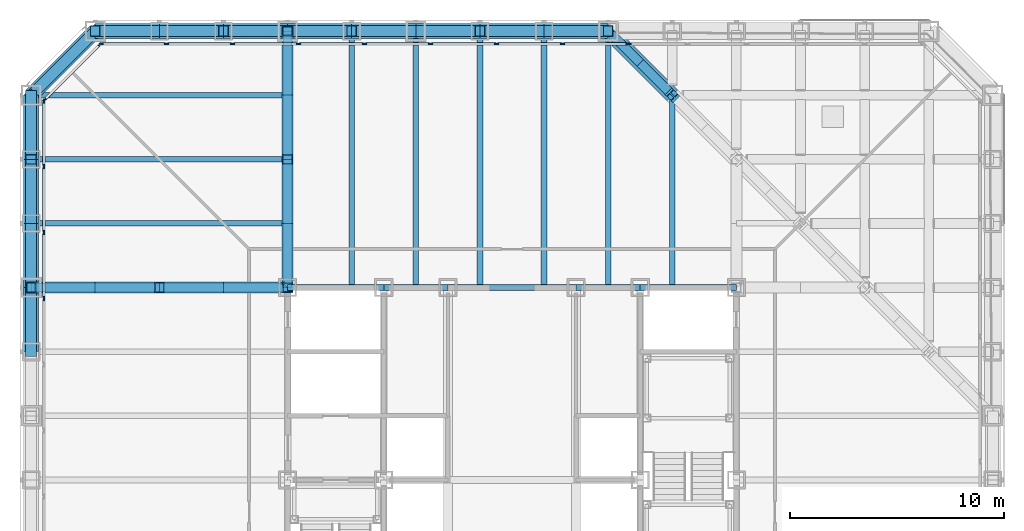
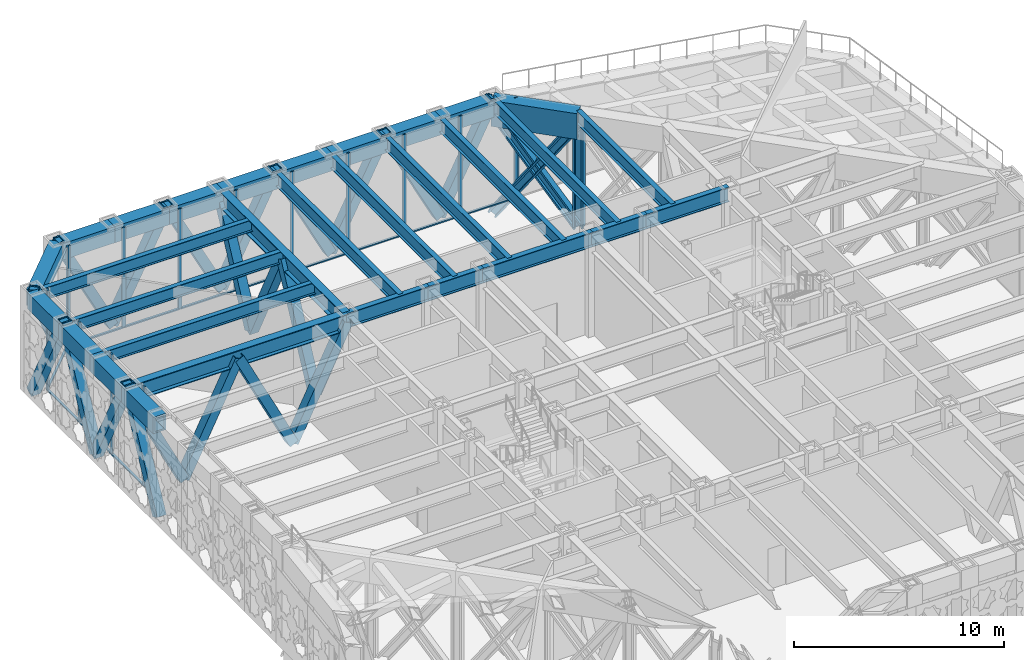
# One storey, part 9 of 31: 53 members, 29 beams, 4 elements without a shape of their own.
"""IFC4 building model written with IfcOpenShell, lengths in metres."""

from ifc_helpers import new_model, si_unit, direction, frame, origin, origin_2d, place, context, subcontext, project, spatial, rectangle, hollow_rectangle, i_section, extrude, material, layer, layer_set, material_profile, profile_set, type_object, element, aggregate, save


model = new_model("IFC4")

# Units and contexts
model_context = context("Model", 3, precision=1e-05, world=origin(), true_north=direction((0.0, 1.0)))
body_context = subcontext(model_context, "Body", "Model", "MODEL_VIEW")
ifc_project = project(units=[si_unit("LENGTHUNIT", "METRE"), si_unit("AREAUNIT", "SQUARE_METRE"), si_unit("VOLUMEUNIT", "CUBIC_METRE"), si_unit("PLANEANGLEUNIT", "RADIAN"), si_unit("MASSUNIT", "GRAM", prefix="KILO")], contexts=[model_context])

# Site, building, storey
site_placement = place(None, origin())
site = spatial("IfcSite", under=ifc_project, at=site_placement, CompositionType="ELEMENT")
building_placement = place(site_placement, origin())
building = spatial("IfcBuilding", under=site, at=building_placement, Name="Chuquiago Exchange Tower", CompositionType="ELEMENT")
storey_placement = place(building_placement, frame((0.0, 0.0, 96.300048828125)))
storey = spatial("IfcBuildingStorey", under=building, at=storey_placement, Name="L20", CompositionType="ELEMENT", Elevation=96.300048828125)

# Beams
ifc_material_1 = material(Name="Steel ASTM A992", Category="steel")
ifc_material_profile_1 = material_profile(ifc_material_1, i_section(OverallWidth=0.2919921875, OverallDepth=0.8583984375, WebThickness=0.01708984375, FlangeThickness=0.031005859375, at=origin_2d()), Name="W33X169")
ifc_profile_set_1 = profile_set([ifc_material_profile_1], Name="Steel ASTM A992")
beam_type_1 = type_object("IfcBeamType", Name="B3 W33X169", PredefinedType="BEAM", material=ifc_profile_set_1)
beam_1_placement = place(storey_placement, frame((12.0, 33.0, 5.41064453125), z_axis=(1.0, 0.0, 0.0), x_axis=(0.0, 1.0, 0.0)))
element("IfcBeam", 1, at=beam_1_placement, inside=storey, type_object=beam_type_1, Name="CB-L21-12_33-16.5_33", PredefinedType="BEAM", context=body_context, shape_type="SweptSolid", body=[
    extrude(i_section(OverallWidth=0.2919921875, OverallDepth=0.8583984375, WebThickness=0.01708984375, FlangeThickness=0.031005859375, at=origin_2d()), origin(), (0.0, 0.0, 1.0), 4.5),
])
beam_2_placement = place(storey_placement, frame((16.5, 33.0, 5.41064453125), z_axis=(1.0, 0.0, 0.0), x_axis=(0.0, 1.0, 0.0)))
element("IfcBeam", 2, at=beam_2_placement, inside=storey, type_object=beam_type_1, Name="CB-L21-16.5_33-19.5_33", PredefinedType="BEAM", context=body_context, shape_type="SweptSolid", body=[
    extrude(i_section(OverallWidth=0.2919921875, OverallDepth=0.8583984375, WebThickness=0.01708984375, FlangeThickness=0.031005859375, at=origin_2d()), origin(), (0.0, 0.0, 1.0), 3.0),
])
beam_3_placement = place(storey_placement, frame((19.5, 33.0, 5.41064453125), z_axis=(1.0, 0.0, 0.0), x_axis=(0.0, 1.0, 0.0)))
element("IfcBeam", 3, at=beam_3_placement, inside=storey, type_object=beam_type_1, Name="CB-L21-19.5_33-25.5_33", PredefinedType="BEAM", context=body_context, shape_type="SweptSolid", body=[
    extrude(i_section(OverallWidth=0.2919921875, OverallDepth=0.8583984375, WebThickness=0.01708984375, FlangeThickness=0.031005859375, at=origin_2d()), origin(), (0.0, 0.0, 1.0), 6.0),
])
beam_4_placement = place(storey_placement, frame((25.5, 33.0, 5.41064453125), z_axis=(1.0, 0.0, 0.0), x_axis=(0.0, 1.0, 0.0)))
element("IfcBeam", 4, at=beam_4_placement, inside=storey, type_object=beam_type_1, Name="CB-L21-25.5_33-28.5_33", PredefinedType="BEAM", context=body_context, shape_type="SweptSolid", body=[
    extrude(i_section(OverallWidth=0.2919921875, OverallDepth=0.8583984375, WebThickness=0.01708984375, FlangeThickness=0.031005859375, at=origin_2d()), origin(), (0.0, 0.0, 1.0), 3.0),
])
beam_5_placement = place(storey_placement, frame((28.5, 33.0, 5.41064453125), z_axis=(1.0, 0.0, 0.0), x_axis=(0.0, 1.0, 0.0)))
element("IfcBeam", 5, at=beam_5_placement, inside=storey, type_object=beam_type_1, Name="CB-L21-28.5_33-33_33", PredefinedType="BEAM", context=body_context, shape_type="SweptSolid", body=[
    extrude(i_section(OverallWidth=0.2919921875, OverallDepth=0.8583984375, WebThickness=0.01708984375, FlangeThickness=0.031005859375, at=origin_2d()), origin(), (0.0, 0.0, 1.0), 4.5),
])
ifc_material_2 = material(Name="Steel ASTM A992", Category="steel")
ifc_material_profile_2 = material_profile(ifc_material_2, i_section(OverallWidth=0.2666015625, OverallDepth=0.761962890625, WebThickness=0.014404296875, FlangeThickness=0.021484375, at=origin_2d()), Name="W30X116")
ifc_profile_set_2 = profile_set([ifc_material_profile_2], Name="Steel ASTM A992")
beam_type_2 = type_object("IfcBeamType", Name="B8 W30X116", PredefinedType="BEAM", material=ifc_profile_set_2)
for number, where, z_axis, x_axis, name in (
    (6, (15.0, 33.0, 5.458984375), (0.0, 1.0, 0.0), (-1.0, 0.0, 0.0), "FB-L21-infill-15_33-15_45-0"),
    (7, (18.0, 33.0, 5.458984375), (0.0, 1.0, 0.0), (-1.0, 0.0, 0.0), "FB-L21-infill-18_33-18_45-0"),
    (8, (21.0, 33.0, 5.458984375), (0.0, 1.0, 0.0), (-1.0, 0.0, 0.0), "FB-L21-infill-21_33-21_45-0"),
    (9, (24.0, 33.0, 5.458984375), (0.0, 1.0, 0.0), (-1.0, 0.0, 0.0), "FB-L21-infill-24_33-24_45-0"),
    (10, (27.0, 33.0, 5.458984375), (0.0, 1.0, 0.0), (-1.0, 0.0, 0.0), "FB-L21-infill-27_33-27_45-0"),
):
    element("IfcBeam", number, at=place(storey_placement, frame(where, z_axis=z_axis, x_axis=x_axis)), inside=storey, type_object=beam_type_2, Name=name, PredefinedType="BEAM", context=body_context, shape_type="SweptSolid", body=[
        extrude(i_section(OverallWidth=0.2666015625, OverallDepth=0.761962890625, WebThickness=0.014404296875, FlangeThickness=0.021484375, at=origin_2d()), origin(), (0.0, 0.0, 1.0), 12.0),
    ])
beam_6_placement = place(storey_placement, frame((30.0, 33.0, 5.458984375), z_axis=(0.0, 1.0, 0.0), x_axis=(-1.0, 0.0, 0.0)))
element("IfcBeam", 11, at=beam_6_placement, inside=storey, type_object=beam_type_2, Name="FB-L21-infill-30_33-30_42-0", PredefinedType="BEAM", context=body_context, shape_type="SweptSolid", body=[
    extrude(i_section(OverallWidth=0.2666015625, OverallDepth=0.761962890625, WebThickness=0.014404296875, FlangeThickness=0.021484375, at=origin_2d()), origin(), (0.0, 0.0, 1.0), 9.0),
])
ifc_material_3 = material(Name="Steel ASTM A992", Category="steel")
ifc_material_profile_3 = material_profile(ifc_material_3, i_section(OverallWidth=0.256591796875, OverallDepth=0.693359375, WebThickness=0.014404296875, FlangeThickness=0.023681640625, at=origin_2d()), Name="W27X114")
ifc_profile_set_3 = profile_set([ifc_material_profile_3], Name="Steel ASTM A992")
beam_type_3 = type_object("IfcBeamType", Name="B9 W27X114", PredefinedType="BEAM", material=ifc_profile_set_3)
for number, where, z_axis, x_axis, name in (
    (12, (12.0, 36.0, 5.4931640625), (-1.0, 0.0, 0.0), (0.0, -1.0, 0.0), "FB-L21-corner-12_36--0_36-0"),
    (13, (12.0, 39.0, 5.4931640625), (-1.0, 0.0, 0.0), (0.0, -1.0, 0.0), "FB-L21-corner-12_39--0_39-0"),
    (14, (12.0, 42.0, 5.4931640625), (-1.0, 0.0, 0.0), (0.0, -1.0, 0.0), "FB-L21-corner-12_42--0_42-0"),
):
    element("IfcBeam", number, at=place(storey_placement, frame(where, z_axis=z_axis, x_axis=x_axis)), inside=storey, type_object=beam_type_3, Name=name, PredefinedType="BEAM", context=body_context, shape_type="SweptSolid", body=[
        extrude(i_section(OverallWidth=0.256591796875, OverallDepth=0.693359375, WebThickness=0.014404296875, FlangeThickness=0.023681640625, at=origin_2d()), origin(), (0.0, 0.0, 1.0), 12.0),
    ])

# Members
ifc_material_4 = material(Name="Steel ASTM A500 Grade C", Category="steel")
ifc_material_profile_4 = material_profile(ifc_material_4, hollow_rectangle(XDim=0.508056640625, YDim=0.508056640625, WallThickness=0.017822265625, at=origin_2d()), Name="HSS20X20X3/4")
ifc_profile_set_4 = profile_set([ifc_material_profile_4], Name="Steel ASTM A500 Grade C")
member_type_1 = type_object("IfcMemberType", Name="BT2 HSS20X20X3/4", PredefinedType="BRACE", material=ifc_profile_set_4)
for number, where, z_axis, x_axis, name in (
    (15, (24.0, 45.0, 0.0), (0.456944654405, 0.0, 0.889495128042), (0.0, 1.0, 0.0), "Belt truss L20 diagonal"),
    (16, (24.0, 45.0, 0.0), (-0.456944654405, 0.0, 0.889495128042), (0.0, -1.0, 0.0), "Belt truss L20 diagonal"),
    (17, (18.0, 45.0, 0.0), (0.456944654405, 0.0, 0.889495128042), (0.0, 1.0, 0.0), "Belt truss L20 diagonal"),
    (18, (18.0, 45.0, 0.0), (-0.456944654405, 0.0, 0.889495128042), (0.0, -1.0, 0.0), "Belt truss L20 diagonal"),
    (19, (12.0, 45.0, 0.0), (0.456944654405, 0.0, 0.889495128042), (0.0, 1.0, 0.0), "Belt truss L20 diagonal"),
    (20, (12.0, 45.0, 0.0), (-0.456944654405, 0.0, 0.889495128042), (0.0, -1.0, 0.0), "Belt truss L20 diagonal"),
    (21, (6.0, 45.0, 0.0), (0.456944654405, 0.0, 0.889495128042), (0.0, 1.0, 0.0), "Belt truss L20 diagonal"),
    (22, (6.0, 45.0, 0.0), (-0.456944654405, 0.0, 0.889495128042), (0.0, -1.0, 0.0), "Belt truss L20 diagonal"),
):
    element("IfcMember", number, at=place(storey_placement, frame(where, z_axis=z_axis, x_axis=x_axis)), inside=storey, type_object=member_type_1, Name=name, PredefinedType="BRACE", context=body_context, shape_type="SweptSolid", body=[
        extrude(hollow_rectangle(XDim=0.508056640625, YDim=0.508056640625, WallThickness=0.017822265625, at=origin_2d()), origin(), (0.0, 0.0, 1.0), 6.5654296875),
    ])
member_1_placement = place(storey_placement, frame((3.0, 45.0, 0.0), z_axis=(-0.415610642288, -0.415610642288, 0.809033737266), x_axis=(0.707106781187, -0.707106781187, 0.0)))
element("IfcMember", 23, at=member_1_placement, inside=storey, type_object=member_type_1, Name="Belt truss L20 diagonal", PredefinedType="BRACE", context=body_context, shape_type="SweptSolid", body=[
    extrude(hollow_rectangle(XDim=0.508056640625, YDim=0.508056640625, WallThickness=0.017822265625, at=origin_2d()), origin(), (0.0, 0.0, 1.0), 7.21826171875),
])
for number, where, z_axis, x_axis, name in (
    (24, (0.0, 42.0, 0.0), (0.0, -0.456944654405, 0.889495128042), (1.0, 0.0, 0.0), "Belt truss L20 diagonal"),
    (25, (0.0, 36.0, 0.0), (0.0, 0.456944654405, 0.889495128042), (-1.0, 0.0, 0.0), "Belt truss L20 diagonal"),
    (26, (0.0, 36.0, 0.0), (0.0, -0.456944654405, 0.889495128042), (1.0, 0.0, 0.0), "Belt truss L20 diagonal"),
    (27, (0.0, 30.0, 0.0), (0.0, 0.456944654405, 0.889495128042), (-1.0, 0.0, 0.0), "Belt truss L20 diagonal"),
):
    element("IfcMember", number, at=place(storey_placement, frame(where, z_axis=z_axis, x_axis=x_axis)), inside=storey, type_object=member_type_1, Name=name, PredefinedType="BRACE", context=body_context, shape_type="SweptSolid", body=[
        extrude(hollow_rectangle(XDim=0.508056640625, YDim=0.508056640625, WallThickness=0.017822265625, at=origin_2d()), origin(), (0.0, 0.0, 1.0), 6.5654296875),
    ])

# Curtain wall, member
ifc_material_5 = material(Name="Aluminium curtain wall system", Category="aluminium")
ifc_layer = layer(ifc_material_5, 0.199951171875)
ifc_layer_set = layer_set([ifc_layer], Name="CW6 plant floor louvre wall")
curtain_wall_type = type_object("IfcCurtainWallType", Name="CW6 plant floor louvre wall", PredefinedType="NOTDEFINED", material=ifc_layer_set)
curtain_wall_1_placement = place(storey_placement, origin())
curtain_wall_1 = element("IfcCurtainWall", 28, at=curtain_wall_1_placement, inside=storey, type_object=curtain_wall_type, Name="CW6 curtain wall L20", PredefinedType="NOTDEFINED")
ifc_material_6 = material(Name="Aluminium mullion, pale anodised", Category="aluminium")
ifc_material_profile_5 = material_profile(ifc_material_6, rectangle(XDim=0.074951171875, YDim=0.199951171875, at=origin_2d()), Name="AL 75x200")
ifc_profile_set_5 = profile_set([ifc_material_profile_5], Name="Aluminium mullion, pale anodised")
member_type_2 = type_object("IfcMemberType", Name="CW6-M mullion 75x200", PredefinedType="MULLION", material=ifc_profile_set_5)
member_2_placement = place(storey_placement, frame((27.9912109375, 44.39990234375, 0.0), z_axis=(0.0, 0.0, 1.0), x_axis=(0.0, -1.0, 0.0)))
member_2 = element("IfcMember", 29, at=member_2_placement, type_object=member_type_2, Name="CW6 mullion 6", PredefinedType="MULLION", context=body_context, shape_type="SweptSolid", body=[
    extrude(rectangle(XDim=0.074951171875, YDim=0.199951171875, at=origin_2d()), origin(), (0.0, 0.0, 1.0), 3.66845703125),
])
aggregate(curtain_wall_1, [member_2])

# Curtain wall, members
curtain_wall_2_placement = place(storey_placement, origin())
curtain_wall_2 = element("IfcCurtainWall", 30, at=curtain_wall_2_placement, inside=storey, type_object=curtain_wall_type, Name="CW6 curtain wall L20", PredefinedType="NOTDEFINED")
member_3_placement = place(storey_placement, frame((27.916015625, 44.39990234375, 0.0), z_axis=(0.0, 0.0, 1.0), x_axis=(0.0, -1.0, 0.0)))
member_3 = element("IfcMember", 31, at=member_3_placement, type_object=member_type_2, Name="CW6 mullion 1", PredefinedType="MULLION", context=body_context, shape_type="SweptSolid", body=[
    extrude(rectangle(XDim=0.074951171875, YDim=0.199951171875, at=origin_2d()), origin(), (0.0, 0.0, 1.0), 5.83984375),
])
member_4_placement = place(storey_placement, frame((24.865478515625, 44.39990234375, 0.0), z_axis=(0.0, 0.0, 1.0), x_axis=(0.0, -1.0, 0.0)))
member_4 = element("IfcMember", 32, at=member_4_placement, type_object=member_type_2, Name="CW6 mullion 2", PredefinedType="MULLION", context=body_context, shape_type="SweptSolid", body=[
    extrude(rectangle(XDim=0.074951171875, YDim=0.199951171875, at=origin_2d()), origin(), (0.0, 0.0, 1.0), 5.83984375),
])
member_5_placement = place(storey_placement, frame((21.77734375, 44.39990234375, 0.0), z_axis=(0.0, 0.0, 1.0), x_axis=(0.0, -1.0, 0.0)))
member_5 = element("IfcMember", 33, at=member_5_placement, type_object=member_type_2, Name="CW6 mullion 3", PredefinedType="MULLION", context=body_context, shape_type="SweptSolid", body=[
    extrude(rectangle(XDim=0.074951171875, YDim=0.199951171875, at=origin_2d()), origin(), (0.0, 0.0, 1.0), 5.83984375),
])
member_6_placement = place(storey_placement, frame((18.689208984375, 44.39990234375, 0.0), z_axis=(0.0, 0.0, 1.0), x_axis=(0.0, -1.0, 0.0)))
member_6 = element("IfcMember", 34, at=member_6_placement, type_object=member_type_2, Name="CW6 mullion 4", PredefinedType="MULLION", context=body_context, shape_type="SweptSolid", body=[
    extrude(rectangle(XDim=0.074951171875, YDim=0.199951171875, at=origin_2d()), origin(), (0.0, 0.0, 1.0), 5.83984375),
])
member_7_placement = place(storey_placement, frame((15.60107421875, 44.39990234375, 0.0), z_axis=(0.0, 0.0, 1.0), x_axis=(0.0, -1.0, 0.0)))
member_7 = element("IfcMember", 35, at=member_7_placement, type_object=member_type_2, Name="CW6 mullion 5", PredefinedType="MULLION", context=body_context, shape_type="SweptSolid", body=[
    extrude(rectangle(XDim=0.074951171875, YDim=0.199951171875, at=origin_2d()), origin(), (0.0, 0.0, 1.0), 5.83984375),
])
member_8_placement = place(storey_placement, frame((12.512939453125, 44.39990234375, 0.0), z_axis=(0.0, 0.0, 1.0), x_axis=(0.0, -1.0, 0.0)))
member_8 = element("IfcMember", 36, at=member_8_placement, type_object=member_type_2, Name="CW6 mullion 6", PredefinedType="MULLION", context=body_context, shape_type="SweptSolid", body=[
    extrude(rectangle(XDim=0.074951171875, YDim=0.199951171875, at=origin_2d()), origin(), (0.0, 0.0, 1.0), 5.83984375),
])
member_9_placement = place(storey_placement, frame((9.4248046875, 44.39990234375, 0.0), z_axis=(0.0, 0.0, 1.0), x_axis=(0.0, -1.0, 0.0)))
member_9 = element("IfcMember", 37, at=member_9_placement, type_object=member_type_2, Name="CW6 mullion 7", PredefinedType="MULLION", context=body_context, shape_type="SweptSolid", body=[
    extrude(rectangle(XDim=0.074951171875, YDim=0.199951171875, at=origin_2d()), origin(), (0.0, 0.0, 1.0), 5.83984375),
])
member_10_placement = place(storey_placement, frame((6.336669921875, 44.39990234375, 0.0), z_axis=(0.0, 0.0, 1.0), x_axis=(0.0, -1.0, 0.0)))
member_10 = element("IfcMember", 38, at=member_10_placement, type_object=member_type_2, Name="CW6 mullion 8", PredefinedType="MULLION", context=body_context, shape_type="SweptSolid", body=[
    extrude(rectangle(XDim=0.074951171875, YDim=0.199951171875, at=origin_2d()), origin(), (0.0, 0.0, 1.0), 5.83984375),
])
member_11_placement = place(storey_placement, frame((3.285888671875, 44.39990234375, 0.0), z_axis=(0.0, 0.0, 1.0), x_axis=(0.0, -1.0, 0.0)))
member_11 = element("IfcMember", 39, at=member_11_placement, type_object=member_type_2, Name="CW6 mullion 9", PredefinedType="MULLION", context=body_context, shape_type="SweptSolid", body=[
    extrude(rectangle(XDim=0.074951171875, YDim=0.199951171875, at=origin_2d()), origin(), (0.0, 0.0, 1.0), 5.83984375),
])

curtain_wall_3_placement = place(storey_placement, origin())
curtain_wall_3 = element("IfcCurtainWall", 40, at=curtain_wall_3_placement, inside=storey, type_object=curtain_wall_type, Name="CW6 curtain wall L20", PredefinedType="NOTDEFINED")
member_12_placement = place(storey_placement, frame((3.221923828125, 44.37353515625, 0.0), z_axis=(0.0, 0.0, 1.0), x_axis=(0.707106781187, -0.707106781187, 0.0)))
member_12 = element("IfcMember", 41, at=member_12_placement, type_object=member_type_2, Name="CW6 mullion 1", PredefinedType="MULLION", context=body_context, shape_type="SweptSolid", body=[
    extrude(rectangle(XDim=0.074951171875, YDim=0.199951171875, at=origin_2d()), origin(), (0.0, 0.0, 1.0), 5.83984375),
])
member_13_placement = place(storey_placement, frame((0.62646484375, 41.778076171875, 0.0), z_axis=(0.0, 0.0, 1.0), x_axis=(0.707106781187, -0.707106781187, 0.0)))
member_13 = element("IfcMember", 42, at=member_13_placement, type_object=member_type_2, Name="CW6 mullion 2", PredefinedType="MULLION", context=body_context, shape_type="SweptSolid", body=[
    extrude(rectangle(XDim=0.074951171875, YDim=0.199951171875, at=origin_2d()), origin(), (0.0, 0.0, 1.0), 5.83984375),
])

curtain_wall_4_placement = place(storey_placement, origin())
curtain_wall_4 = element("IfcCurtainWall", 43, at=curtain_wall_4_placement, inside=storey, type_object=curtain_wall_type, Name="CW6 curtain wall L20", PredefinedType="NOTDEFINED")
member_14_placement = place(storey_placement, frame((0.60009765625, 41.714111328125, 0.0), z_axis=(0.0, 0.0, 1.0), x_axis=(1.0, 0.0, 0.0)))
member_14 = element("IfcMember", 44, at=member_14_placement, type_object=member_type_2, Name="CW6 mullion 1", PredefinedType="MULLION", context=body_context, shape_type="SweptSolid", body=[
    extrude(rectangle(XDim=0.074951171875, YDim=0.199951171875, at=origin_2d()), origin(), (0.0, 0.0, 1.0), 5.83984375),
])
member_15_placement = place(storey_placement, frame((0.60009765625, 38.663330078125, 0.0), z_axis=(0.0, 0.0, 1.0), x_axis=(1.0, 0.0, 0.0)))
member_15 = element("IfcMember", 45, at=member_15_placement, type_object=member_type_2, Name="CW6 mullion 2", PredefinedType="MULLION", context=body_context, shape_type="SweptSolid", body=[
    extrude(rectangle(XDim=0.074951171875, YDim=0.199951171875, at=origin_2d()), origin(), (0.0, 0.0, 1.0), 5.83984375),
])
member_16_placement = place(storey_placement, frame((0.60009765625, 35.5751953125, 0.0), z_axis=(0.0, 0.0, 1.0), x_axis=(1.0, 0.0, 0.0)))
member_16 = element("IfcMember", 46, at=member_16_placement, type_object=member_type_2, Name="CW6 mullion 3", PredefinedType="MULLION", context=body_context, shape_type="SweptSolid", body=[
    extrude(rectangle(XDim=0.074951171875, YDim=0.199951171875, at=origin_2d()), origin(), (0.0, 0.0, 1.0), 5.83984375),
])
member_17_placement = place(storey_placement, frame((0.60009765625, 32.487060546875, 0.0), z_axis=(0.0, 0.0, 1.0), x_axis=(1.0, 0.0, 0.0)))
member_17 = element("IfcMember", 47, at=member_17_placement, type_object=member_type_2, Name="CW6 mullion 4", PredefinedType="MULLION", context=body_context, shape_type="SweptSolid", body=[
    extrude(rectangle(XDim=0.074951171875, YDim=0.199951171875, at=origin_2d()), origin(), (0.0, 0.0, 1.0), 5.83984375),
])

# Member
ifc_material_7 = material(Name="Aluminium transom, pale anodised", Category="aluminium")
ifc_material_profile_6 = material_profile(ifc_material_7, rectangle(XDim=0.1201171875, YDim=0.074951171875, at=origin_2d()), Name="AL 120x75")
ifc_profile_set_6 = profile_set([ifc_material_profile_6], Name="Aluminium transom, pale anodised")
member_type_3 = type_object("IfcMemberType", Name="CW6-T transom 75x120", PredefinedType="MULLION", material=ifc_profile_set_6)
member_18_placement = place(storey_placement, frame((27.878662109375, 44.39990234375, 0.037353515625), z_axis=(-1.0, 0.0, 0.0), x_axis=(0.0, -1.0, 0.0)))
member_18 = element("IfcMember", 48, at=member_18_placement, type_object=member_type_3, Name="CW6 transom 1.1", PredefinedType="MULLION", context=body_context, shape_type="SweptSolid", body=[
    extrude(rectangle(XDim=0.1201171875, YDim=0.074951171875, at=origin_2d()), origin(), (0.0, 0.0, 1.0), 2.9755859375),
])

member_19_placement = place(storey_placement, frame((24.827880859375, 44.39990234375, 0.037353515625), z_axis=(-1.0, 0.0, 0.0), x_axis=(0.0, -1.0, 0.0)))
member_19 = element("IfcMember", 49, at=member_19_placement, type_object=member_type_3, Name="CW6 transom 2.1", PredefinedType="MULLION", context=body_context, shape_type="SweptSolid", body=[
    extrude(rectangle(XDim=0.1201171875, YDim=0.074951171875, at=origin_2d()), origin(), (0.0, 0.0, 1.0), 3.012939453125),
])

member_20_placement = place(storey_placement, frame((21.73974609375, 44.39990234375, 0.037353515625), z_axis=(-1.0, 0.0, 0.0), x_axis=(0.0, -1.0, 0.0)))
member_20 = element("IfcMember", 50, at=member_20_placement, type_object=member_type_3, Name="CW6 transom 3.1", PredefinedType="MULLION", context=body_context, shape_type="SweptSolid", body=[
    extrude(rectangle(XDim=0.1201171875, YDim=0.074951171875, at=origin_2d()), origin(), (0.0, 0.0, 1.0), 3.012939453125),
])

member_21_placement = place(storey_placement, frame((18.651611328125, 44.39990234375, 0.037353515625), z_axis=(-1.0, 0.0, 0.0), x_axis=(0.0, -1.0, 0.0)))
member_21 = element("IfcMember", 51, at=member_21_placement, type_object=member_type_3, Name="CW6 transom 4.1", PredefinedType="MULLION", context=body_context, shape_type="SweptSolid", body=[
    extrude(rectangle(XDim=0.1201171875, YDim=0.074951171875, at=origin_2d()), origin(), (0.0, 0.0, 1.0), 3.012939453125),
])

member_22_placement = place(storey_placement, frame((15.5634765625, 44.39990234375, 0.037353515625), z_axis=(-1.0, 0.0, 0.0), x_axis=(0.0, -1.0, 0.0)))
member_22 = element("IfcMember", 52, at=member_22_placement, type_object=member_type_3, Name="CW6 transom 5.1", PredefinedType="MULLION", context=body_context, shape_type="SweptSolid", body=[
    extrude(rectangle(XDim=0.1201171875, YDim=0.074951171875, at=origin_2d()), origin(), (0.0, 0.0, 1.0), 3.01318359375),
])

member_23_placement = place(storey_placement, frame((12.475341796875, 44.39990234375, 0.037353515625), z_axis=(-1.0, 0.0, 0.0), x_axis=(0.0, -1.0, 0.0)))
member_23 = element("IfcMember", 53, at=member_23_placement, type_object=member_type_3, Name="CW6 transom 6.1", PredefinedType="MULLION", context=body_context, shape_type="SweptSolid", body=[
    extrude(rectangle(XDim=0.1201171875, YDim=0.074951171875, at=origin_2d()), origin(), (0.0, 0.0, 1.0), 3.01318359375),
])

member_24_placement = place(storey_placement, frame((9.38720703125, 44.39990234375, 0.037353515625), z_axis=(-1.0, 0.0, 0.0), x_axis=(0.0, -1.0, 0.0)))
member_24 = element("IfcMember", 54, at=member_24_placement, type_object=member_type_3, Name="CW6 transom 7.1", PredefinedType="MULLION", context=body_context, shape_type="SweptSolid", body=[
    extrude(rectangle(XDim=0.1201171875, YDim=0.074951171875, at=origin_2d()), origin(), (0.0, 0.0, 1.0), 3.01318359375),
])

member_25_placement = place(storey_placement, frame((6.299072265625, 44.39990234375, 0.037353515625), z_axis=(-1.0, 0.0, 0.0), x_axis=(0.0, -1.0, 0.0)))
member_25 = element("IfcMember", 55, at=member_25_placement, type_object=member_type_3, Name="CW6 transom 8.1", PredefinedType="MULLION", context=body_context, shape_type="SweptSolid", body=[
    extrude(rectangle(XDim=0.1201171875, YDim=0.074951171875, at=origin_2d()), origin(), (0.0, 0.0, 1.0), 2.9755859375),
])

aggregate(curtain_wall_2, [member_3, member_4, member_5, member_6, member_7, member_8, member_9, member_10, member_11, member_18, member_19, member_20, member_21, member_22, member_23, member_24, member_25])

member_26_placement = place(storey_placement, frame((3.195556640625, 44.346923828125, 0.037353515625), z_axis=(-0.707106781187, -0.707106781187, 0.0), x_axis=(0.707106781187, -0.707106781187, 0.0)))
member_26 = element("IfcMember", 56, at=member_26_placement, type_object=member_type_3, Name="CW6 transom 1.1", PredefinedType="MULLION", context=body_context, shape_type="SweptSolid", body=[
    extrude(rectangle(XDim=0.1201171875, YDim=0.074951171875, at=origin_2d()), origin(), (0.0, 0.0, 1.0), 3.595703125),
])

aggregate(curtain_wall_3, [member_12, member_13, member_26])

member_27_placement = place(storey_placement, frame((0.60009765625, 41.676513671875, 0.037353515625), z_axis=(0.0, -1.0, 0.0), x_axis=(1.0, 0.0, 0.0)))
member_27 = element("IfcMember", 57, at=member_27_placement, type_object=member_type_3, Name="CW6 transom 1.1", PredefinedType="MULLION", context=body_context, shape_type="SweptSolid", body=[
    extrude(rectangle(XDim=0.1201171875, YDim=0.074951171875, at=origin_2d()), origin(), (0.0, 0.0, 1.0), 2.9755859375),
])

member_28_placement = place(storey_placement, frame((0.60009765625, 38.6259765625, 0.037353515625), z_axis=(0.0, -1.0, 0.0), x_axis=(1.0, 0.0, 0.0)))
member_28 = element("IfcMember", 58, at=member_28_placement, type_object=member_type_3, Name="CW6 transom 2.1", PredefinedType="MULLION", context=body_context, shape_type="SweptSolid", body=[
    extrude(rectangle(XDim=0.1201171875, YDim=0.074951171875, at=origin_2d()), origin(), (0.0, 0.0, 1.0), 3.01318359375),
])

member_29_placement = place(storey_placement, frame((0.60009765625, 35.537841796875, 0.037353515625), z_axis=(0.0, -1.0, 0.0), x_axis=(1.0, 0.0, 0.0)))
member_29 = element("IfcMember", 59, at=member_29_placement, type_object=member_type_3, Name="CW6 transom 3.1", PredefinedType="MULLION", context=body_context, shape_type="SweptSolid", body=[
    extrude(rectangle(XDim=0.1201171875, YDim=0.074951171875, at=origin_2d()), origin(), (0.0, 0.0, 1.0), 3.01318359375),
])

aggregate(curtain_wall_4, [member_14, member_15, member_16, member_17, member_27, member_28, member_29])

# Beams
ifc_material_8 = material(Name="Steel ASTM A992", Category="steel")
ifc_material_profile_7 = material_profile(ifc_material_8, i_section(OverallWidth=0.424072265625, OverallDepth=0.947509765625, WebThickness=0.02392578125, FlangeThickness=0.042724609375, at=origin_2d()), Name="W36X302")
ifc_profile_set_7 = profile_set([ifc_material_profile_7], Name="Steel ASTM A992")
beam_type_4 = type_object("IfcBeamType", Name="G4 W36X302", PredefinedType="BEAM", material=ifc_profile_set_7)
for number, where, z_axis, x_axis, name in (
    (60, (12.0, 33.0, 5.3662109375), (0.0, 1.0, 0.0), (-1.0, 0.0, 0.0), "FB-L21-girder-12_33-12_45-0"),
    (61, (12.0, 33.0, 5.3662109375), (-1.0, 0.0, 0.0), (0.0, -1.0, 0.0), "FB-L21-girder-12_33--0_33-0"),
):
    element("IfcBeam", number, at=place(storey_placement, frame(where, z_axis=z_axis, x_axis=x_axis)), inside=storey, type_object=beam_type_4, Name=name, PredefinedType="BEAM", context=body_context, shape_type="SweptSolid", body=[
        extrude(i_section(OverallWidth=0.424072265625, OverallDepth=0.947509765625, WebThickness=0.02392578125, FlangeThickness=0.042724609375, at=origin_2d()), origin(), (0.0, 0.0, 1.0), 12.0),
    ])

# Members
ifc_material_9 = material(Name="Steel ASTM A572 Grade 50", Category="steel")
ifc_material_profile_8 = material_profile(ifc_material_9, hollow_rectangle(XDim=0.5, YDim=0.5, WallThickness=0.0400390625, at=origin_2d()), Name="BOX500X500X40")
ifc_profile_set_8 = profile_set([ifc_material_profile_8], Name="Steel ASTM A572 Grade 50")
member_type_4 = type_object("IfcMemberType", Name="OT1 BOX500X500X40", PredefinedType="BRACE", material=ifc_profile_set_8)
for number, where, z_axis, x_axis, name in (
    (62, (12.0, 33.0, 5.3662109375), (0.0, 0.4472135955, -0.894427191), (-1.0, 0.0, 0.0), "Outrigger diagonal L20"),
    (63, (12.0, 36.0, -0.6337890625), (0.0, 0.4472135955, 0.894427191), (-1.0, 0.0, 0.0), "Outrigger diagonal L20"),
    (64, (12.0, 39.0, 5.3662109375), (0.0, 0.4472135955, -0.894427191), (-1.0, 0.0, 0.0), "Outrigger diagonal L20"),
    (65, (12.0, 42.0, -0.6337890625), (0.0, 0.4472135955, 0.894427191), (-1.0, 0.0, 0.0), "Outrigger diagonal L20"),
    (66, (12.0, 33.0, 5.3662109375), (-0.4472135955, 0.0, -0.894427191), (0.0, -1.0, 0.0), "Outrigger diagonal L20"),
    (67, (9.0, 33.0, -0.6337890625), (-0.4472135955, 0.0, 0.894427191), (0.0, -1.0, 0.0), "Outrigger diagonal L20"),
    (68, (6.0, 33.0, 5.3662109375), (-0.4472135955, 0.0, -0.894427191), (0.0, -1.0, 0.0), "Outrigger diagonal L20"),
    (69, (3.0, 33.0, -0.6337890625), (-0.4472135955, 0.0, 0.894427191), (0.0, -1.0, 0.0), "Outrigger diagonal L20"),
):
    element("IfcMember", number, at=place(storey_placement, frame(where, z_axis=z_axis, x_axis=x_axis)), inside=storey, type_object=member_type_4, Name=name, PredefinedType="BRACE", context=body_context, shape_type="SweptSolid", body=[
        extrude(hollow_rectangle(XDim=0.5, YDim=0.5, WallThickness=0.0400390625, at=origin_2d()), origin(), (0.0, 0.0, 1.0), 6.708251953125),
    ])

# Beams
ifc_material_10 = material(Name="Steel ASTM A572 Grade 50", Category="steel")
ifc_material_profile_9 = material_profile(ifc_material_10, hollow_rectangle(XDim=0.699951171875, YDim=0.949951171875, WallThickness=0.10009765625, at=origin_2d()), Name="BOX950X700X100")
ifc_profile_set_9 = profile_set([ifc_material_profile_9], Name="Steel ASTM A572 Grade 50")
beam_type_5 = type_object("IfcBeamType", Name="SP5 BOX950X700X100", PredefinedType="SPANDREL", material=ifc_profile_set_9)
for number, where, z_axis, x_axis, name in (
    (70, (27.0, 45.0, 5.364990234375), (-1.0, 0.0, 0.0), (0.0, -1.0, 0.0), "SPB-L21-27_45-24_45"),
    (71, (24.0, 45.0, 5.364990234375), (-1.0, 0.0, 0.0), (0.0, -1.0, 0.0), "SPB-L21-24_45-21_45"),
    (72, (21.0, 45.0, 5.364990234375), (-1.0, 0.0, 0.0), (0.0, -1.0, 0.0), "SPB-L21-21_45-18_45"),
    (73, (18.0, 45.0, 5.364990234375), (-1.0, 0.0, 0.0), (0.0, -1.0, 0.0), "SPB-L21-18_45-15_45"),
    (74, (15.0, 45.0, 5.364990234375), (-1.0, 0.0, 0.0), (0.0, -1.0, 0.0), "SPB-L21-15_45-12_45"),
    (75, (12.0, 45.0, 5.364990234375), (-1.0, 0.0, 0.0), (0.0, -1.0, 0.0), "SPB-L21-12_45-9_45"),
    (76, (9.0, 45.0, 5.364990234375), (-1.0, 0.0, 0.0), (0.0, -1.0, 0.0), "SPB-L21-9_45-6_45"),
    (77, (6.0, 45.0, 5.364990234375), (-1.0, 0.0, 0.0), (0.0, -1.0, 0.0), "SPB-L21-6_45-3_45"),
):
    element("IfcBeam", number, at=place(storey_placement, frame(where, z_axis=z_axis, x_axis=x_axis)), inside=storey, type_object=beam_type_5, Name=name, PredefinedType="SPANDREL", context=body_context, shape_type="SweptSolid", body=[
        extrude(hollow_rectangle(XDim=0.699951171875, YDim=0.949951171875, WallThickness=0.10009765625, at=origin_2d()), origin(), (0.0, 0.0, 1.0), 3.0),
    ])
beam_7_placement = place(storey_placement, frame((3.0, 45.0, 5.364990234375), z_axis=(-0.707106781187, -0.707106781187, 0.0), x_axis=(0.707106781187, -0.707106781187, 0.0)))
element("IfcBeam", 78, at=beam_7_placement, inside=storey, type_object=beam_type_5, Name="SPB-L21-3_45-0_42", PredefinedType="SPANDREL", context=body_context, shape_type="SweptSolid", body=[
    extrude(hollow_rectangle(XDim=0.699951171875, YDim=0.949951171875, WallThickness=0.10009765625, at=origin_2d()), origin(), (0.0, 0.0, 1.0), 4.24267578125),
])
for number, where, z_axis, x_axis, name in (
    (79, (0.0, 42.0, 5.364990234375), (0.0, -1.0, 0.0), (1.0, 0.0, 0.0), "SPB-L21-0_42-0_39"),
    (80, (0.0, 39.0, 5.364990234375), (0.0, -1.0, 0.0), (1.0, 0.0, 0.0), "SPB-L21-0_39-0_36"),
    (81, (0.0, 36.0, 5.364990234375), (0.0, -1.0, 0.0), (1.0, 0.0, 0.0), "SPB-L21-0_36-0_33"),
    (82, (0.0, 33.0, 5.364990234375), (0.0, -1.0, 0.0), (1.0, 0.0, 0.0), "SPB-L21-0_33-0_30"),
):
    element("IfcBeam", number, at=place(storey_placement, frame(where, z_axis=z_axis, x_axis=x_axis)), inside=storey, type_object=beam_type_5, Name=name, PredefinedType="SPANDREL", context=body_context, shape_type="SweptSolid", body=[
        extrude(hollow_rectangle(XDim=0.699951171875, YDim=0.949951171875, WallThickness=0.10009765625, at=origin_2d()), origin(), (0.0, 0.0, 1.0), 3.0),
    ])

# Members
ifc_material_11 = material(Name="Steel ASTM A572 Grade 50", Category="steel")
ifc_material_profile_10 = material_profile(ifc_material_11, hollow_rectangle(XDim=0.699951171875, YDim=1.5, WallThickness=0.080078125, at=origin_2d()), Name="BOX1500X700X80")
ifc_profile_set_10 = profile_set([ifc_material_profile_10], Name="Steel ASTM A572 Grade 50")
member_type_5 = type_object("IfcMemberType", Name="TT1 BOX1500X700X80", PredefinedType="CHORD", material=ifc_profile_set_10)
member_30_placement = place(storey_placement, frame((30.0, 42.0, 5.08984375), z_axis=(-0.707106781187, 0.707106781187, 0.0), x_axis=(-0.707106781187, -0.707106781187, 0.0)))
element("IfcMember", 83, at=member_30_placement, inside=storey, type_object=member_type_5, Name="Transfer truss L20 NE top chord", PredefinedType="CHORD", context=body_context, shape_type="SweptSolid", body=[
    extrude(hollow_rectangle(XDim=0.699951171875, YDim=1.5, WallThickness=0.080078125, at=origin_2d()), origin(), (0.0, 0.0, 1.0), 4.24267578125),
])
ifc_material_12 = material(Name="Steel ASTM A992", Category="steel")
ifc_material_profile_11 = material_profile(ifc_material_12, i_section(OverallWidth=0.44189453125, OverallDepth=0.53076171875, WebThickness=0.06591796875, FlangeThickness=0.105712890625, at=origin_2d()), Name="W14X605")
ifc_profile_set_11 = profile_set([ifc_material_profile_11], Name="Steel ASTM A992")
member_type_6 = type_object("IfcMemberType", Name="TT2 W14X605", PredefinedType="STRUT", material=ifc_profile_set_11)
member_31_placement = place(storey_placement, frame((30.0, 42.0, -0.91015625), z_axis=(0.0, 0.0, 1.0), x_axis=(0.707106781187, 0.707106781187, 0.0)))
element("IfcMember", 84, at=member_31_placement, inside=storey, type_object=member_type_6, Name="Transfer truss L20 NE post", PredefinedType="STRUT", context=body_context, shape_type="SweptSolid", body=[
    extrude(i_section(OverallWidth=0.44189453125, OverallDepth=0.53076171875, WebThickness=0.06591796875, FlangeThickness=0.105712890625, at=origin_2d()), origin(), (0.0, 0.0, 1.0), 6.0),
])
ifc_material_13 = material(Name="Steel ASTM A992", Category="steel")
ifc_material_profile_12 = material_profile(ifc_material_13, i_section(OverallWidth=0.431884765625, OverallDepth=0.497802734375, WebThickness=0.0556640625, FlangeThickness=0.0888671875, at=origin_2d()), Name="W14X500")
ifc_profile_set_12 = profile_set([ifc_material_profile_12], Name="Steel ASTM A992")
member_type_7 = type_object("IfcMemberType", Name="TT3 W14X500", PredefinedType="BRACE", material=ifc_profile_set_12)
for number, where, z_axis, x_axis, name in (
    (85, (27.0, 45.0, -0.91015625), (0.408248290464, -0.408248290464, 0.816496580928), (0.707106781187, 0.707106781187, 0.0), "Transfer truss L20 NE diagonal"),
    (86, (30.0, 42.0, -0.91015625), (-0.408248290464, 0.408248290464, 0.816496580928), (-0.707106781187, -0.707106781187, 0.0), "Transfer truss L20 NE counter-diagonal"),
):
    element("IfcMember", number, at=place(storey_placement, frame(where, z_axis=z_axis, x_axis=x_axis)), inside=storey, type_object=member_type_7, Name=name, PredefinedType="BRACE", context=body_context, shape_type="SweptSolid", body=[
        extrude(i_section(OverallWidth=0.431884765625, OverallDepth=0.497802734375, WebThickness=0.0556640625, FlangeThickness=0.0888671875, at=origin_2d()), origin(), (0.0, 0.0, 1.0), 7.348388671875),
    ])

save(model, "model.ifc")
